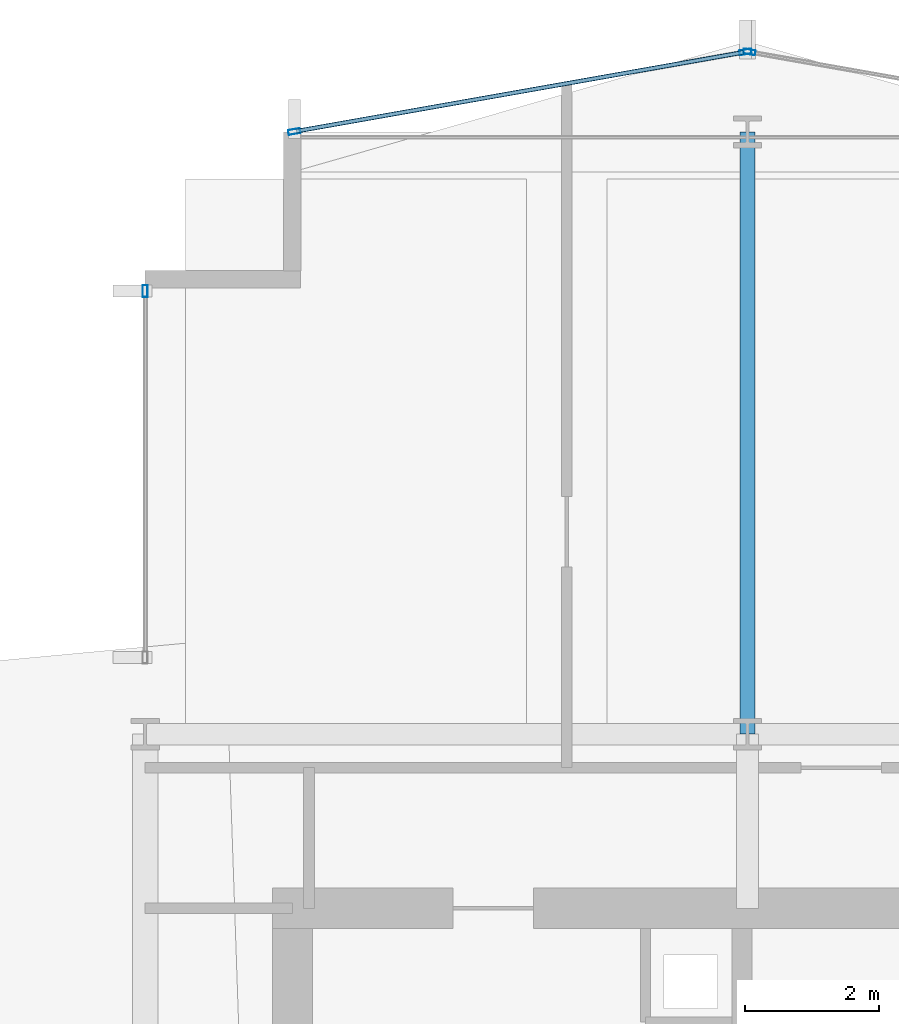
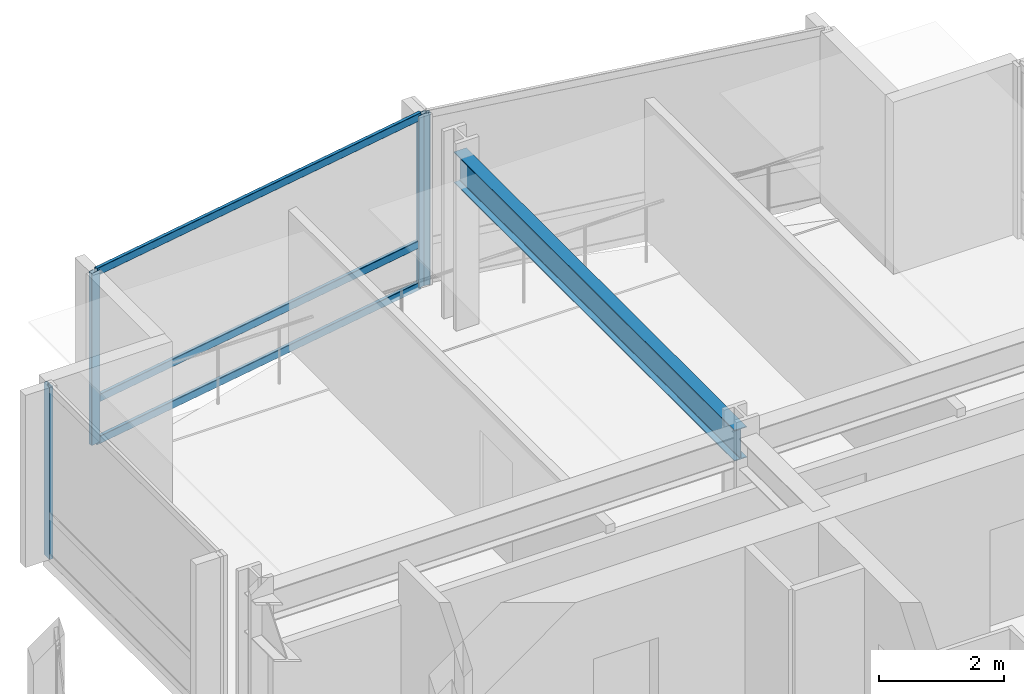
# One storey, part 24 of 35: 7 members, 1 beam, 3 elements without a shape of their own.
"""IFC4 building model written with IfcOpenShell, lengths in metres."""

from ifc_helpers import new_model, si_unit, direction, frame, origin, origin_2d, place, context, subcontext, project, spatial, hollow_rectangle, i_section, extrude, material, layer, layer_set, material_profile, profile_set, type_object, element, aggregate, save


model = new_model("IFC4")

# Units and contexts
model_context = context("Model", 3, precision=1e-05, world=origin(), true_north=direction((0.0, 1.0)))
body_context = subcontext(model_context, "Body", "Model", "MODEL_VIEW")
ifc_project = project(units=[si_unit("LENGTHUNIT", "METRE"), si_unit("AREAUNIT", "SQUARE_METRE"), si_unit("VOLUMEUNIT", "CUBIC_METRE"), si_unit("PLANEANGLEUNIT", "RADIAN"), si_unit("MASSUNIT", "GRAM", prefix="KILO")], contexts=[model_context])

# Site, building, storey
site_placement = place(None, origin())
site = spatial("IfcSite", under=ifc_project, at=site_placement, CompositionType="ELEMENT")
building_placement = place(site_placement, origin())
building = spatial("IfcBuilding", under=site, at=building_placement, Name="Solvaryn Broadcast Tower", CompositionType="ELEMENT")
storey_placement = place(building_placement, frame((0.0, 0.0, 80.39990234375)))
storey = spatial("IfcBuildingStorey", under=building, at=storey_placement, Name="L19", CompositionType="ELEMENT", Elevation=80.39990234375)

# Beam
ifc_material_1 = material(Name="Steel ASTM A992 Grade 50", Category="steel")
ifc_material_profile_1 = material_profile(ifc_material_1, i_section(OverallWidth=0.22802734375, OverallDepth=0.60791015625, WebThickness=0.01123046875, FlangeThickness=0.017333984375, FilletRadius=0.014892578125, at=origin_2d()))
ifc_profile_set_1 = profile_set([ifc_material_profile_1], Name="Steel ASTM A992 Grade 50")
beam_type = type_object("IfcBeamType", Name="BM-B2-W24X76", PredefinedType="BEAM", material=ifc_profile_set_1)
beam_placement = place(storey_placement, frame((18.0, 45.0, 3.066162109375), z_axis=(0.0, 1.0, 0.0), x_axis=(-1.0, 0.0, 0.0)))
element("IfcBeam", 1, at=beam_placement, inside=storey, type_object=beam_type, Name="L19 Primary Beam Y (45-54 @ X=18)", PredefinedType="BEAM", context=body_context, shape_type="SweptSolid", body=[
    extrude(i_section(OverallWidth=0.22802734375, OverallDepth=0.60791015625, WebThickness=0.01123046875, FlangeThickness=0.017333984375, FilletRadius=0.014892578125, at=origin_2d()), origin(), (0.0, 0.0, 1.0), 9.0),
])

# Curtain wall, member
ifc_material_2 = material(Name="Aluminium and Terracotta Unitised Curtain Wall", Category="masonry")
ifc_layer = layer(ifc_material_2, 0.199951171875)
ifc_layer_set = layer_set([ifc_layer], Name="CW-SYS2-LOWMID")
curtain_wall_type = type_object("IfcCurtainWallType", Name="CW-SYS2-LOWMID", PredefinedType="NOTDEFINED", material=ifc_layer_set)
curtain_wall_1_placement = place(storey_placement, origin())
curtain_wall_1 = element("IfcCurtainWall", 2, at=curtain_wall_1_placement, inside=storey, type_object=curtain_wall_type, Name="L19 Curtain Wall W2", PredefinedType="NOTDEFINED")
ifc_material_3 = material(Name="Anodised Aluminium 6063-T6", Category="aluminium")
ifc_material_profile_2 = material_profile(ifc_material_3, hollow_rectangle(XDim=0.074951171875, YDim=0.179931640625, WallThickness=0.00390625, InnerFilletRadius=0.00390625, OuterFilletRadius=0.008056640625, at=origin_2d()))
ifc_profile_set_2 = profile_set([ifc_material_profile_2], Name="Anodised Aluminium 6063-T6")
member_type_1 = type_object("IfcMemberType", Name="CW-MUL-180", PredefinedType="MULLION", material=ifc_profile_set_2)
member_1_placement = place(storey_placement, frame((9.0, 51.6201171875, 0.0), z_axis=(0.0, 0.0, 1.0), x_axis=(-1.0, 0.0, 0.0)))
member_1 = element("IfcMember", 3, at=member_1_placement, type_object=member_type_1, Name="CWS2 mullion 2", PredefinedType="MULLION", context=body_context, shape_type="SweptSolid", body=[
    extrude(hollow_rectangle(XDim=0.074951171875, YDim=0.179931640625, WallThickness=0.00390625, InnerFilletRadius=0.00390625, OuterFilletRadius=0.008056640625, at=origin_2d()), origin(), (0.0, 0.0, 1.0), 3.3701171875),
])
aggregate(curtain_wall_1, [member_1])

curtain_wall_2_placement = place(storey_placement, origin())
curtain_wall_2 = element("IfcCurtainWall", 4, at=curtain_wall_2_placement, inside=storey, type_object=curtain_wall_type, Name="L19 Curtain Wall NT1", PredefinedType="NOTDEFINED")
member_2_placement = place(storey_placement, frame((18.029541015625, 55.19482421875, 0.0), z_axis=(0.0, 0.0, 1.0), x_axis=(-0.173785333901, -0.984783558819, 0.0)))
member_2 = element("IfcMember", 5, at=member_2_placement, type_object=member_type_1, Name="CWS2 mullion 2", PredefinedType="MULLION", context=body_context, shape_type="SweptSolid", body=[
    extrude(hollow_rectangle(XDim=0.074951171875, YDim=0.179931640625, WallThickness=0.00390625, InnerFilletRadius=0.00390625, OuterFilletRadius=0.008056640625, at=origin_2d()), origin(), (0.0, 0.0, 1.0), 3.3701171875),
])
aggregate(curtain_wall_2, [member_2])

# Curtain wall, members
curtain_wall_3_placement = place(storey_placement, origin())
curtain_wall_3 = element("IfcCurtainWall", 6, at=curtain_wall_3_placement, inside=storey, type_object=curtain_wall_type, Name="L19 Curtain Wall NT2", PredefinedType="NOTDEFINED")
member_3_placement = place(storey_placement, frame((17.970458984375, 55.19482421875, 0.0), z_axis=(0.0, 0.0, 1.0), x_axis=(0.173785333901, -0.984783558819, 0.0)))
member_3 = element("IfcMember", 7, at=member_3_placement, type_object=member_type_1, Name="CWS2 mullion 1", PredefinedType="MULLION", context=body_context, shape_type="SweptSolid", body=[
    extrude(hollow_rectangle(XDim=0.074951171875, YDim=0.179931640625, WallThickness=0.00390625, InnerFilletRadius=0.00390625, OuterFilletRadius=0.008056640625, at=origin_2d()), origin(), (0.0, 0.0, 1.0), 3.3701171875),
])
member_4_placement = place(storey_placement, frame((11.2294921875, 54.005126953125, 0.0), z_axis=(0.0, 0.0, 1.0), x_axis=(0.173785333901, -0.984783558819, 0.0)))
member_4 = element("IfcMember", 8, at=member_4_placement, type_object=member_type_1, Name="CWS2 mullion 2", PredefinedType="MULLION", context=body_context, shape_type="SweptSolid", body=[
    extrude(hollow_rectangle(XDim=0.074951171875, YDim=0.179931640625, WallThickness=0.00390625, InnerFilletRadius=0.00390625, OuterFilletRadius=0.008056640625, at=origin_2d()), origin(), (0.0, 0.0, 1.0), 3.3701171875),
])
ifc_material_4 = material(Name="Anodised Aluminium 6063-T6", Category="aluminium")
ifc_material_profile_3 = material_profile(ifc_material_4, hollow_rectangle(XDim=0.06494140625, YDim=0.14990234375, WallThickness=0.00390625, InnerFilletRadius=0.00390625, OuterFilletRadius=0.008056640625, at=origin_2d()))
ifc_profile_set_3 = profile_set([ifc_material_profile_3], Name="Anodised Aluminium 6063-T6")
member_type_2 = type_object("IfcMemberType", Name="CW-TRN-150", PredefinedType="USERDEFINED", material=ifc_profile_set_3)
member_5_placement = place(storey_placement, frame((17.94091796875, 55.189453125, 0.030029296875), z_axis=(-0.984788629673, -0.173756596613, 0.0), x_axis=(0.173756596613, -0.984788629673, 0.0)))
member_5 = element("IfcMember", 9, at=member_5_placement, type_object=member_type_2, Name="CWS2 transom 1.1", ObjectType="TRANSOM", PredefinedType="USERDEFINED", context=body_context, shape_type="SweptSolid", body=[
    extrude(hollow_rectangle(XDim=0.06494140625, YDim=0.14990234375, WallThickness=0.00390625, InnerFilletRadius=0.00390625, OuterFilletRadius=0.008056640625, at=origin_2d()), origin(), (0.0, 0.0, 1.0), 6.78515625),
])
member_6_placement = place(storey_placement, frame((17.94091796875, 55.189453125, 0.85009765625), z_axis=(-0.984788629673, -0.173756596613, 0.0), x_axis=(0.173756596613, -0.984788629673, 0.0)))
member_6 = element("IfcMember", 10, at=member_6_placement, type_object=member_type_2, Name="CWS2 transom 1.2", ObjectType="TRANSOM", PredefinedType="USERDEFINED", context=body_context, shape_type="SweptSolid", body=[
    extrude(hollow_rectangle(XDim=0.06494140625, YDim=0.14990234375, WallThickness=0.00390625, InnerFilletRadius=0.00390625, OuterFilletRadius=0.008056640625, at=origin_2d()), origin(), (0.0, 0.0, 1.0), 6.78515625),
])
member_7_placement = place(storey_placement, frame((17.94091796875, 55.189453125, 3.340087890625), z_axis=(-0.984788629673, -0.173756596613, 0.0), x_axis=(0.173756596613, -0.984788629673, 0.0)))
member_7 = element("IfcMember", 11, at=member_7_placement, type_object=member_type_2, Name="CWS2 transom 1.3", ObjectType="TRANSOM", PredefinedType="USERDEFINED", context=body_context, shape_type="SweptSolid", body=[
    extrude(hollow_rectangle(XDim=0.06494140625, YDim=0.14990234375, WallThickness=0.00390625, InnerFilletRadius=0.00390625, OuterFilletRadius=0.008056640625, at=origin_2d()), origin(), (0.0, 0.0, 1.0), 6.78515625),
])
aggregate(curtain_wall_3, [member_3, member_4, member_5, member_6, member_7])

save(model, "model.ifc")
